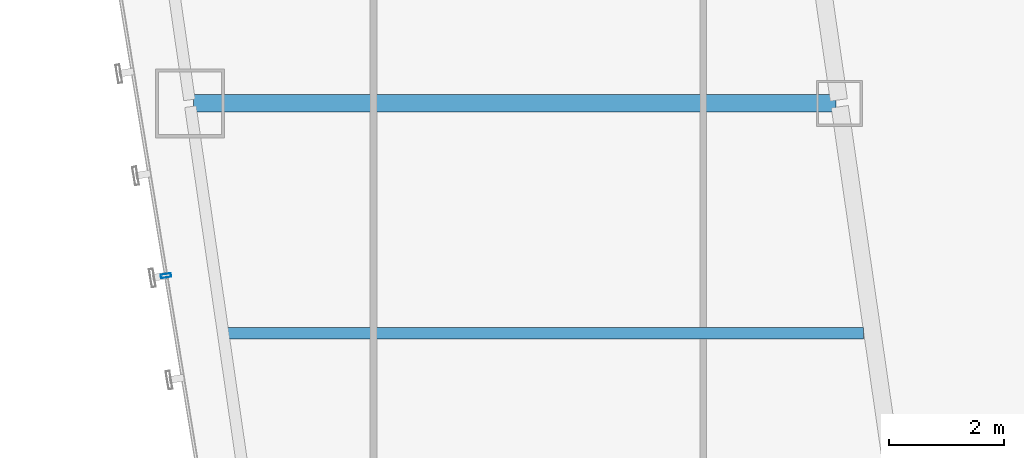
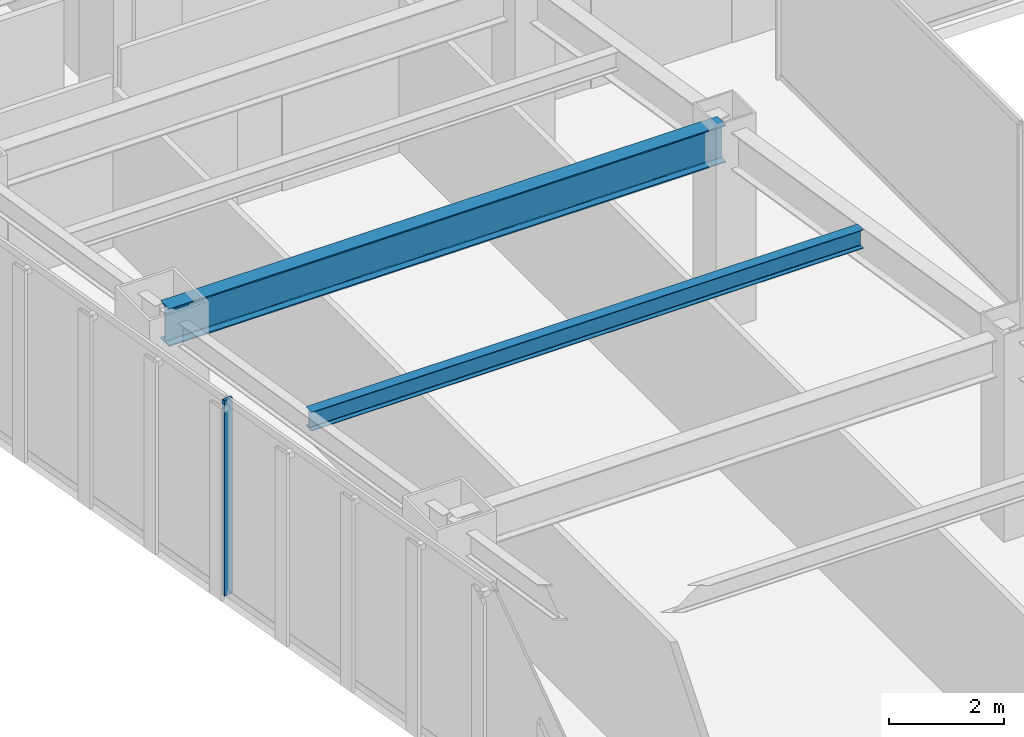
# One storey, part 11 of 47: 2 beams, 1 member, 1 element without a shape of its own.
"""IFC4 building model written with IfcOpenShell, lengths in metres."""

from ifc_helpers import new_model, si_unit, direction, frame, origin, origin_2d, place, context, subcontext, project, spatial, hollow_rectangle, i_section, extrude, material, material_profile, profile_set, type_object, element, aggregate, save


model = new_model("IFC4")

# Units and contexts
model_context = context("Model", 3, precision=1e-05, world=origin(), true_north=direction((0.0, 1.0)))
body_context = subcontext(model_context, "Body", "Model", "MODEL_VIEW")
ifc_project = project(units=[si_unit("LENGTHUNIT", "METRE"), si_unit("AREAUNIT", "SQUARE_METRE"), si_unit("VOLUMEUNIT", "CUBIC_METRE"), si_unit("PLANEANGLEUNIT", "RADIAN"), si_unit("MASSUNIT", "GRAM", prefix="KILO")], contexts=[model_context])

# Site, building, storey
site_placement = place(None, origin())
site = spatial("IfcSite", under=ifc_project, at=site_placement, CompositionType="ELEMENT")
building_placement = place(site_placement, origin())
building = spatial("IfcBuilding", under=site, at=building_placement, Name="Saevonmaru Cultural Tower", CompositionType="ELEMENT")
storey_placement = place(building_placement, frame((0.0, 0.0, 92.800048828125)))
storey = spatial("IfcBuildingStorey", under=building, at=storey_placement, Name="L19", CompositionType="ELEMENT", Elevation=92.800048828125)

# Beams
ifc_material_1 = material(Name="Steel SM420", Category="steel")
ifc_material_profile_1 = material_profile(ifc_material_1, i_section(OverallWidth=0.300048828125, OverallDepth=0.800048828125, WebThickness=0.013916015625, FlangeThickness=0.02587890625, FilletRadius=0.028076171875, at=origin_2d()), Name="H-800x300x14x26")
ifc_profile_set_1 = profile_set([ifc_material_profile_1], Name="Steel SM420")
beam_type_1 = type_object("IfcBeamType", Name="BM-G-H800", PredefinedType="BEAM", material=ifc_profile_set_1)
beam_1_placement = place(storey_placement, frame((8.376953125, 32.0, 3.75), z_axis=(1.0, 0.0, 0.0), x_axis=(0.0, 1.0, 0.0)))
element("IfcBeam", 1, at=beam_1_placement, inside=storey, type_object=beam_type_1, Name="L19 West Wing Transverse Girder 5", PredefinedType="BEAM", context=body_context, shape_type="SweptSolid", body=[
    extrude(i_section(OverallWidth=0.300048828125, OverallDepth=0.800048828125, WebThickness=0.013916015625, FlangeThickness=0.02587890625, FilletRadius=0.028076171875, at=origin_2d()), origin(), (0.0, 0.0, 1.0), 11.179931640625),
])
ifc_material_2 = material(Name="Steel SM355", Category="steel")
ifc_material_profile_2 = material_profile(ifc_material_2, i_section(OverallWidth=0.199951171875, OverallDepth=0.39990234375, WebThickness=0.008056640625, FlangeThickness=0.012939453125, FilletRadius=0.01611328125, at=origin_2d()), Name="H-400x200x8x13")
ifc_profile_set_2 = profile_set([ifc_material_profile_2], Name="Steel SM355")
beam_type_2 = type_object("IfcBeamType", Name="BM-J-H400", PredefinedType="JOIST", material=ifc_profile_set_2)
beam_2_placement = place(storey_placement, frame((8.95458984375, 28.0, 3.949951171875), z_axis=(1.0, 0.0, 0.0), x_axis=(0.0, 1.0, 0.0)))
element("IfcBeam", 2, at=beam_2_placement, inside=storey, type_object=beam_type_2, Name="L19 West Wing Floor Joist 4", PredefinedType="JOIST", context=body_context, shape_type="SweptSolid", body=[
    extrude(i_section(OverallWidth=0.199951171875, OverallDepth=0.39990234375, WebThickness=0.008056640625, FlangeThickness=0.012939453125, FilletRadius=0.01611328125, at=origin_2d()), origin(), (0.0, 0.0, 1.0), 11.08203125),
])

# Curtain wall, member
ifc_material_3 = material(Name="Satin Bronze Anodised Aluminium", Category="aluminium")
curtain_wall_type = type_object("IfcCurtainWallType", Name="CW-TYP-A", PredefinedType="NOTDEFINED", material=ifc_material_3)
curtain_wall_placement = place(storey_placement, origin())
curtain_wall = element("IfcCurtainWall", 3, at=curtain_wall_placement, inside=storey, type_object=curtain_wall_type, Name="L19 Unitised Curtain Wall E12", PredefinedType="NOTDEFINED")
ifc_material_profile_3 = material_profile(ifc_material_3, hollow_rectangle(XDim=0.06494140625, YDim=0.179931640625, WallThickness=0.00390625, at=origin_2d()), Name="ALU-MULL-180x65x4")
ifc_profile_set_3 = profile_set([ifc_material_profile_3], Name="Satin Bronze Anodised Aluminium")
member_type = type_object("IfcMemberType", Name="ML-CW-180x65", PredefinedType="MULLION", material=ifc_profile_set_3)
member_placement = place(storey_placement, frame((7.89990234375, 29.0, 0.0), z_axis=(0.0, 0.0, 1.0), x_axis=(0.161708868641, -0.986838508472, 0.0)))
member = element("IfcMember", 4, at=member_placement, type_object=member_type, Name="CW-TW-L19-E12 mullion 3", PredefinedType="MULLION", context=body_context, shape_type="SweptSolid", body=[
    extrude(hollow_rectangle(XDim=0.06494140625, YDim=0.179931640625, WallThickness=0.00390625, at=origin_2d()), origin(), (0.0, 0.0, 1.0), 4.14990234375),
])
aggregate(curtain_wall, [member])

save(model, "model.ifc")
